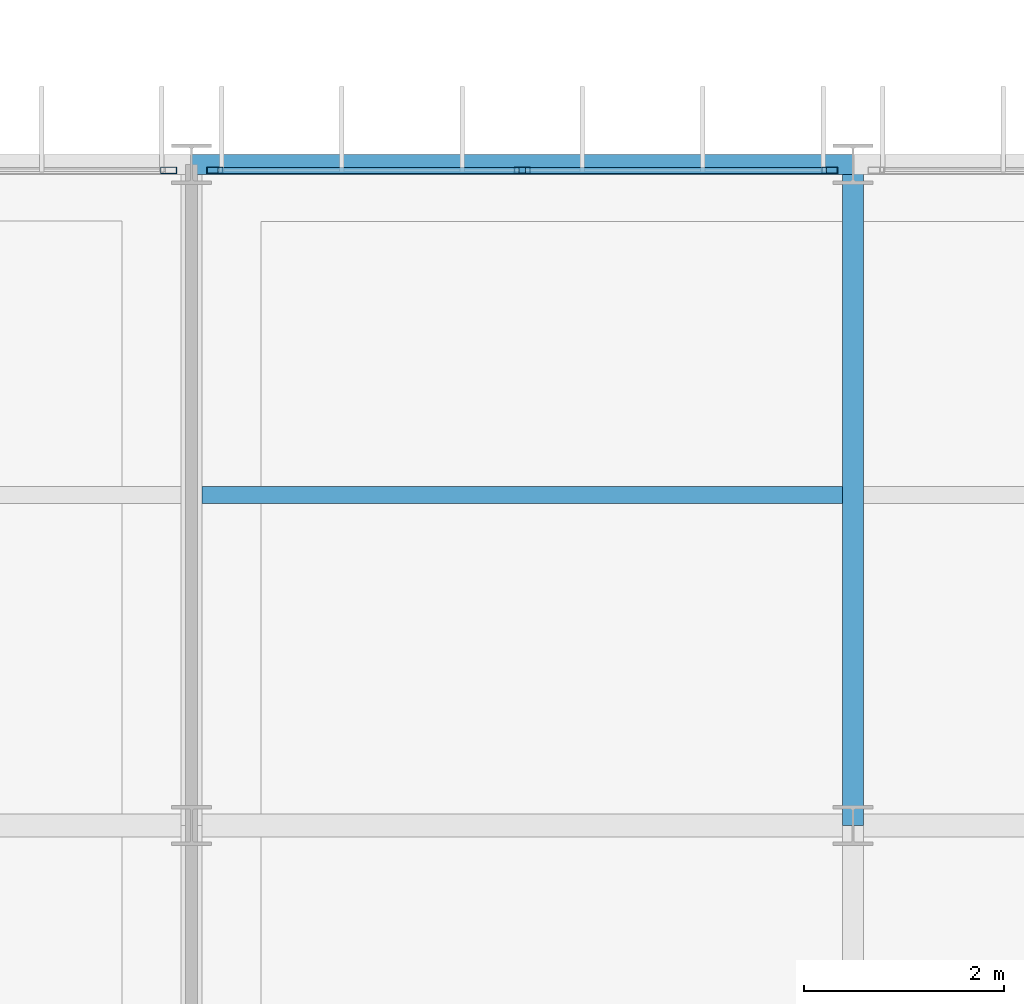
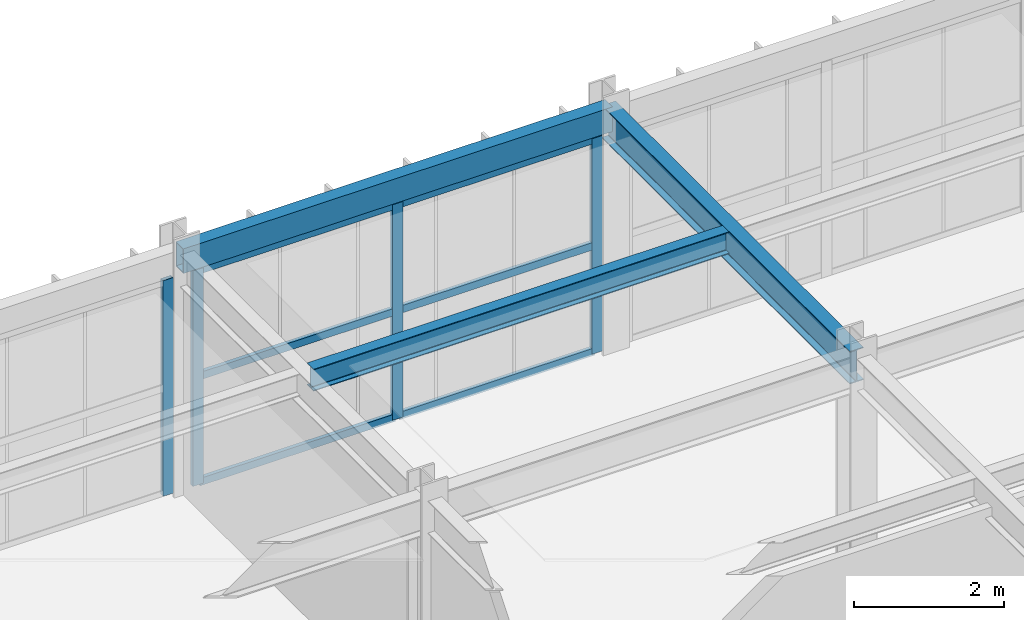
# One storey, part 91 of 148: 10 members, 3 beams, 2 elements without a shape of their own.
"""IFC4 building model written with IfcOpenShell, lengths in metres."""

from ifc_helpers import new_model, si_unit, direction, frame, origin, origin_2d, place, context, subcontext, project, spatial, hollow_rectangle, i_section, extrude, material, material_profile, profile_set, type_object, element, aggregate, save


model = new_model("IFC4")

# Units and contexts
model_context = context("Model", 3, precision=1e-05, world=origin(), true_north=direction((0.0, 1.0)))
body_context = subcontext(model_context, "Body", "Model", "MODEL_VIEW")
ifc_project = project(units=[si_unit("LENGTHUNIT", "METRE"), si_unit("AREAUNIT", "SQUARE_METRE"), si_unit("VOLUMEUNIT", "CUBIC_METRE"), si_unit("PLANEANGLEUNIT", "RADIAN"), si_unit("MASSUNIT", "GRAM", prefix="KILO")], contexts=[model_context])

# Site, building, storey
site_placement = place(None, origin())
site = spatial("IfcSite", under=ifc_project, at=site_placement, CompositionType="ELEMENT")
building_placement = place(site_placement, origin())
building = spatial("IfcBuilding", under=site, at=building_placement, Name="Karori Crest Natural Sciences Institute", CompositionType="ELEMENT")
storey_placement = place(building_placement, frame((0.0, 0.0, 4.89990234375)))
storey = spatial("IfcBuildingStorey", under=building, at=storey_placement, Name="L01", CompositionType="ELEMENT", Elevation=4.89990234375)

# Beams
ifc_material_1 = material(Name="Structural steel AS/NZS 3679.1 Grade 350", Category="steel")
ifc_material_profile_1 = material_profile(ifc_material_1, i_section(OverallWidth=0.208984375, OverallDepth=0.532958984375, WebThickness=0.01025390625, FlangeThickness=0.015625, FilletRadius=0.013916015625, at=origin_2d()), Name="530UB92.4")
ifc_profile_set_1 = profile_set([ifc_material_profile_1], Name="Structural steel AS/NZS 3679.1 Grade 350")
beam_type_1 = type_object("IfcBeamType", Name="BT-05", PredefinedType="BEAM", material=ifc_profile_set_1)
beam_1_placement = place(storey_placement, frame((136.60009765625, 14.0, 3.653564453125), z_axis=(0.0, 1.0, 0.0), x_axis=(-1.0, 0.0, 0.0)))
element("IfcBeam", 1, at=beam_1_placement, inside=storey, type_object=beam_type_1, Name="Beam B-2159", PredefinedType="BEAM", context=body_context, shape_type="SweptSolid", body=[
    extrude(i_section(OverallWidth=0.208984375, OverallDepth=0.532958984375, WebThickness=0.01025390625, FlangeThickness=0.015625, FilletRadius=0.013916015625, at=origin_2d()), origin(), (0.0, 0.0, 1.0), 6.60009765625),
])
ifc_material_profile_2 = material_profile(ifc_material_1, i_section(OverallWidth=0.172119140625, OverallDepth=0.35888671875, WebThickness=0.008056640625, FlangeThickness=0.012939453125, FilletRadius=0.010986328125, at=origin_2d()), Name="360UB56.7")
ifc_profile_set_2 = profile_set([ifc_material_profile_2], Name="Structural steel AS/NZS 3679.1 Grade 350")
beam_type_2 = type_object("IfcBeamType", Name="BT-08", PredefinedType="BEAM", material=ifc_profile_set_2)
beam_2_placement = place(storey_placement, frame((130.1044921875, 17.300048828125, 3.740478515625), z_axis=(1.0, 0.0, 0.0), x_axis=(0.0, 1.0, 0.0)))
element("IfcBeam", 2, at=beam_2_placement, inside=storey, type_object=beam_type_2, Name="Beam B-2183", PredefinedType="BEAM", context=body_context, shape_type="SweptSolid", body=[
    extrude(i_section(OverallWidth=0.172119140625, OverallDepth=0.35888671875, WebThickness=0.008056640625, FlangeThickness=0.012939453125, FilletRadius=0.010986328125, at=origin_2d()), origin(), (0.0, 0.0, 1.0), 6.39111328125),
])
ifc_material_2 = material(Name="Hollow structural steel AS/NZS 1163 Grade C350", Category="steel")
ifc_material_profile_3 = material_profile(ifc_material_2, hollow_rectangle(XDim=0.199951171875, YDim=0.39990234375, WallThickness=0.012451171875, at=origin_2d()), Name="RHS400x200x12.5")
ifc_profile_set_3 = profile_set([ifc_material_profile_3], Name="Hollow structural steel AS/NZS 1163 Grade C350")
beam_type_3 = type_object("IfcBeamType", Name="BT-14", PredefinedType="SPANDREL", material=ifc_profile_set_3)
beam_3_placement = place(storey_placement, frame((130.0, 20.60009765625, 3.72021484375), z_axis=(1.0, 0.0, 0.0), x_axis=(0.0, 1.0, 0.0)))
element("IfcBeam", 3, at=beam_3_placement, inside=storey, type_object=beam_type_3, Name="Beam B-2137", PredefinedType="SPANDREL", context=body_context, shape_type="SweptSolid", body=[
    extrude(hollow_rectangle(XDim=0.199951171875, YDim=0.39990234375, WallThickness=0.012451171875, at=origin_2d()), origin(), (0.0, 0.0, 1.0), 6.60009765625),
])

# Curtain wall, member
ifc_material_3 = material(Name="Anodised architectural aluminium 6063-T6", Category="aluminium")
curtain_wall_type = type_object("IfcCurtainWallType", Name="CWT-20", PredefinedType="NOTDEFINED", material=ifc_material_3)
curtain_wall_1_placement = place(storey_placement, origin())
curtain_wall_1 = element("IfcCurtainWall", 4, at=curtain_wall_1_placement, inside=storey, type_object=curtain_wall_type, Name="Curtain wall CW-0307", PredefinedType="NOTDEFINED")
ifc_material_profile_4 = material_profile(ifc_material_3, hollow_rectangle(XDim=0.06494140625, YDim=0.159912109375, WallThickness=0.00390625, at=origin_2d()), Name="CWM160x65x4")
ifc_profile_set_4 = profile_set([ifc_material_profile_4], Name="Anodised architectural aluminium 6063-T6")
member_type_1 = type_object("IfcMemberType", Name="CWM-01", PredefinedType="MULLION", material=ifc_profile_set_4)
member_1_placement = place(storey_placement, frame((129.76953125, 20.5400390625, 0.0), z_axis=(0.0, 0.0, 1.0), x_axis=(0.0, 1.0, 0.0)))
member_1 = element("IfcMember", 5, at=member_1_placement, type_object=member_type_1, Name="CW-0307 mullion 3", PredefinedType="MULLION", context=body_context, shape_type="SweptSolid", body=[
    extrude(hollow_rectangle(XDim=0.06494140625, YDim=0.159912109375, WallThickness=0.00390625, at=origin_2d()), origin(), (0.0, 0.0, 1.0), 3.505126953125),
])
aggregate(curtain_wall_1, [member_1])

# Curtain wall, members
curtain_wall_2_placement = place(storey_placement, origin())
curtain_wall_2 = element("IfcCurtainWall", 6, at=curtain_wall_2_placement, inside=storey, type_object=curtain_wall_type, Name="Curtain wall CW-0308", PredefinedType="NOTDEFINED")
member_2_placement = place(storey_placement, frame((130.23046875, 20.5400390625, 0.0), z_axis=(0.0, 0.0, 1.0), x_axis=(0.0, 1.0, 0.0)))
member_2 = element("IfcMember", 7, at=member_2_placement, type_object=member_type_1, Name="CW-0308 mullion 1", PredefinedType="MULLION", context=body_context, shape_type="SweptSolid", body=[
    extrude(hollow_rectangle(XDim=0.06494140625, YDim=0.159912109375, WallThickness=0.00390625, at=origin_2d()), origin(), (0.0, 0.0, 1.0), 3.505126953125),
])
member_3_placement = place(storey_placement, frame((133.300048828125, 20.5400390625, 0.0), z_axis=(0.0, 0.0, 1.0), x_axis=(0.0, 1.0, 0.0)))
member_3 = element("IfcMember", 8, at=member_3_placement, type_object=member_type_1, Name="CW-0308 mullion 2", PredefinedType="MULLION", context=body_context, shape_type="SweptSolid", body=[
    extrude(hollow_rectangle(XDim=0.06494140625, YDim=0.159912109375, WallThickness=0.00390625, at=origin_2d()), origin(), (0.0, 0.0, 1.0), 3.505126953125),
])
member_4_placement = place(storey_placement, frame((136.369384765625, 20.5400390625, 0.0), z_axis=(0.0, 0.0, 1.0), x_axis=(0.0, 1.0, 0.0)))
member_4 = element("IfcMember", 9, at=member_4_placement, type_object=member_type_1, Name="CW-0308 mullion 3", PredefinedType="MULLION", context=body_context, shape_type="SweptSolid", body=[
    extrude(hollow_rectangle(XDim=0.06494140625, YDim=0.159912109375, WallThickness=0.00390625, at=origin_2d()), origin(), (0.0, 0.0, 1.0), 3.505126953125),
])
ifc_material_profile_5 = material_profile(ifc_material_3, hollow_rectangle(XDim=0.06005859375, YDim=0.1201171875, WallThickness=0.00390625, at=origin_2d()), Name="CWT120x60x4")
ifc_profile_set_5 = profile_set([ifc_material_profile_5], Name="Anodised architectural aluminium 6063-T6")
member_type_2 = type_object("IfcMemberType", Name="CWT-TR1", PredefinedType="USERDEFINED", material=ifc_profile_set_5)
member_5_placement = place(storey_placement, frame((130.262939453125, 20.5400390625, 0.030029296875), z_axis=(1.0, 0.0, 0.0), x_axis=(0.0, 1.0, 0.0)))
member_5 = element("IfcMember", 10, at=member_5_placement, type_object=member_type_2, Name="CW-0308 transom 1.1", ObjectType="TRANSOM", PredefinedType="USERDEFINED", context=body_context, shape_type="SweptSolid", body=[
    extrude(hollow_rectangle(XDim=0.06005859375, YDim=0.1201171875, WallThickness=0.00390625, at=origin_2d()), origin(), (0.0, 0.0, 1.0), 3.004638671875),
])
member_6_placement = place(storey_placement, frame((130.262939453125, 20.5400390625, 1.752685546875), z_axis=(1.0, 0.0, 0.0), x_axis=(0.0, 1.0, 0.0)))
member_6 = element("IfcMember", 11, at=member_6_placement, type_object=member_type_2, Name="CW-0308 transom 1.2", ObjectType="TRANSOM", PredefinedType="USERDEFINED", context=body_context, shape_type="SweptSolid", body=[
    extrude(hollow_rectangle(XDim=0.06005859375, YDim=0.1201171875, WallThickness=0.00390625, at=origin_2d()), origin(), (0.0, 0.0, 1.0), 3.004638671875),
])
member_7_placement = place(storey_placement, frame((130.262939453125, 20.5400390625, 3.47509765625), z_axis=(1.0, 0.0, 0.0), x_axis=(0.0, 1.0, 0.0)))
member_7 = element("IfcMember", 12, at=member_7_placement, type_object=member_type_2, Name="CW-0308 transom 1.3", ObjectType="TRANSOM", PredefinedType="USERDEFINED", context=body_context, shape_type="SweptSolid", body=[
    extrude(hollow_rectangle(XDim=0.06005859375, YDim=0.1201171875, WallThickness=0.00390625, at=origin_2d()), origin(), (0.0, 0.0, 1.0), 3.004638671875),
])
member_8_placement = place(storey_placement, frame((133.33251953125, 20.5400390625, 0.030029296875), z_axis=(1.0, 0.0, 0.0), x_axis=(0.0, 1.0, 0.0)))
member_8 = element("IfcMember", 13, at=member_8_placement, type_object=member_type_2, Name="CW-0308 transom 2.1", ObjectType="TRANSOM", PredefinedType="USERDEFINED", context=body_context, shape_type="SweptSolid", body=[
    extrude(hollow_rectangle(XDim=0.06005859375, YDim=0.1201171875, WallThickness=0.00390625, at=origin_2d()), origin(), (0.0, 0.0, 1.0), 3.00439453125),
])
member_9_placement = place(storey_placement, frame((133.33251953125, 20.5400390625, 1.752685546875), z_axis=(1.0, 0.0, 0.0), x_axis=(0.0, 1.0, 0.0)))
member_9 = element("IfcMember", 14, at=member_9_placement, type_object=member_type_2, Name="CW-0308 transom 2.2", ObjectType="TRANSOM", PredefinedType="USERDEFINED", context=body_context, shape_type="SweptSolid", body=[
    extrude(hollow_rectangle(XDim=0.06005859375, YDim=0.1201171875, WallThickness=0.00390625, at=origin_2d()), origin(), (0.0, 0.0, 1.0), 3.00439453125),
])
member_10_placement = place(storey_placement, frame((133.33251953125, 20.5400390625, 3.47509765625), z_axis=(1.0, 0.0, 0.0), x_axis=(0.0, 1.0, 0.0)))
member_10 = element("IfcMember", 15, at=member_10_placement, type_object=member_type_2, Name="CW-0308 transom 2.3", ObjectType="TRANSOM", PredefinedType="USERDEFINED", context=body_context, shape_type="SweptSolid", body=[
    extrude(hollow_rectangle(XDim=0.06005859375, YDim=0.1201171875, WallThickness=0.00390625, at=origin_2d()), origin(), (0.0, 0.0, 1.0), 3.00439453125),
])
aggregate(curtain_wall_2, [member_2, member_3, member_4, member_5, member_6, member_7, member_8, member_9, member_10])

save(model, "model.ifc")
